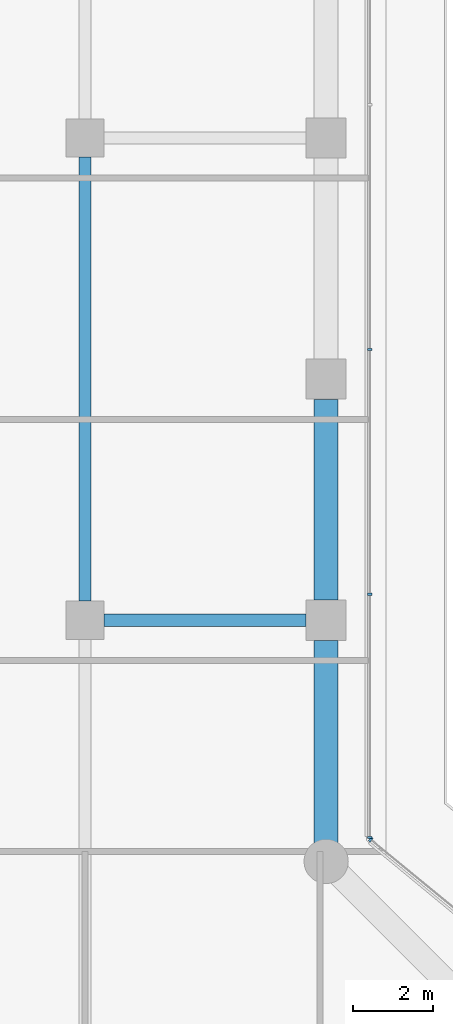
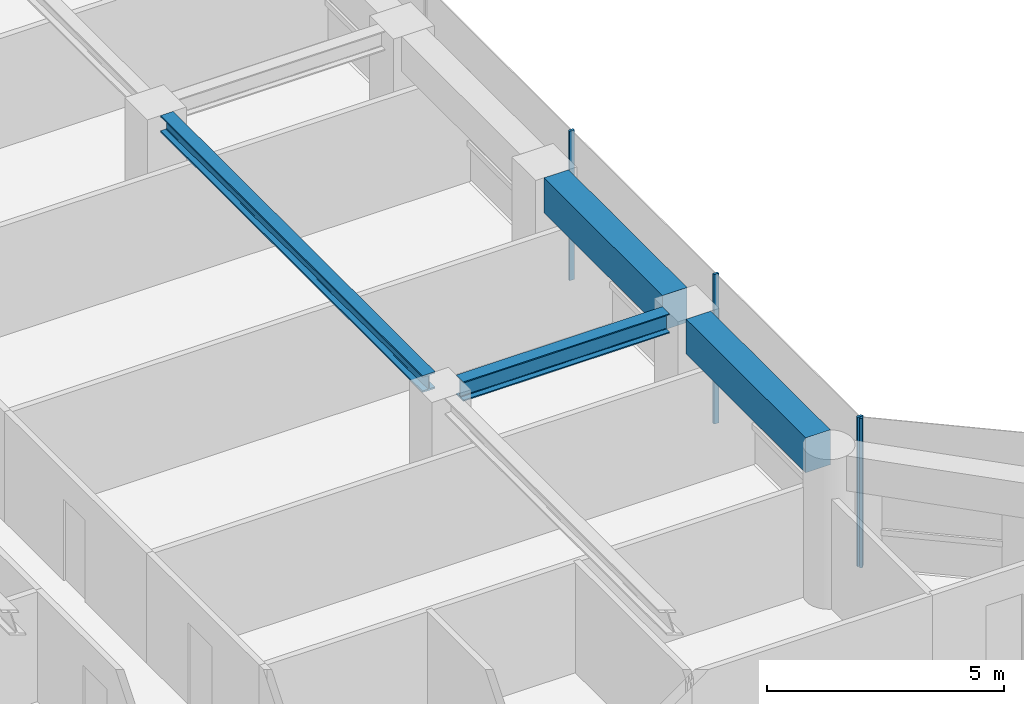
# One storey, part 11 of 28: 4 beams, 4 members, 2 elements without a shape of their own.
"""IFC4 building model written with IfcOpenShell, lengths in metres."""

from ifc_helpers import new_model, si_unit, direction, frame, origin, origin_2d, place, context, subcontext, project, spatial, rectangle, i_section, extrude, material, layer, layer_set, material_profile, profile_set, type_object, element, aggregate, save


model = new_model("IFC4")

# Units and contexts
model_context = context("Model", 3, precision=1e-05, world=origin(), true_north=direction((0.0, 1.0)))
body_context = subcontext(model_context, "Body", "Model", "MODEL_VIEW")
ifc_project = project(units=[si_unit("LENGTHUNIT", "METRE"), si_unit("AREAUNIT", "SQUARE_METRE"), si_unit("VOLUMEUNIT", "CUBIC_METRE"), si_unit("PLANEANGLEUNIT", "RADIAN"), si_unit("MASSUNIT", "GRAM", prefix="KILO")], contexts=[model_context])

# Site, building, storey
site_placement = place(None, origin())
site = spatial("IfcSite", under=ifc_project, at=site_placement, CompositionType="ELEMENT")
building_placement = place(site_placement, origin())
building = spatial("IfcBuilding", under=site, at=building_placement, Name="Welwitschia Terrace Campus", CompositionType="ELEMENT")
storey_placement = place(building_placement, frame((0.0, 0.0, 87.800048828125)))
storey = spatial("IfcBuildingStorey", under=building, at=storey_placement, Name="L19", CompositionType="ELEMENT", Elevation=87.800048828125)

# Beam
ifc_material_1 = material(Name="Steel S355", Category="steel")
ifc_material_profile_1 = material_profile(ifc_material_1, i_section(OverallWidth=0.306884765625, OverallDepth=0.431884765625, WebThickness=0.02099609375, FlangeThickness=0.0400390625, FilletRadius=0.027099609375, at=origin_2d()))
ifc_profile_set_1 = profile_set([ifc_material_profile_1], Name="Steel S355")
beam_type_1 = type_object("IfcBeamType", Name="Interior girder HE 400 M", PredefinedType="BEAM", material=ifc_profile_set_1)
beam_1_placement = place(storey_placement, frame((18.0, 40.4755859375, 3.634033203125), z_axis=(0.0, 1.0, 0.0), x_axis=(-1.0, 0.0, 0.0)))
element("IfcBeam", 1, at=beam_1_placement, inside=storey, type_object=beam_type_1, Name="Girder GB3", PredefinedType="BEAM", context=body_context, shape_type="SweptSolid", body=[
    extrude(i_section(OverallWidth=0.306884765625, OverallDepth=0.431884765625, WebThickness=0.02099609375, FlangeThickness=0.0400390625, FilletRadius=0.027099609375, at=origin_2d()), origin(), (0.0, 0.0, 1.0), 11.048828125),
])

# Curtain wall, member
ifc_material_2 = material(Name="Bronze anodised aluminium", Category="aluminium")
ifc_layer = layer(ifc_material_2, 0.1201171875)
ifc_layer_set = layer_set([ifc_layer], Name="Bronze anodised aluminium")
curtain_wall_type = type_object("IfcCurtainWallType", Name="Curtain wall CW2 tower 6000", PredefinedType="NOTDEFINED", material=ifc_layer_set)
curtain_wall_1_placement = place(storey_placement, origin())
curtain_wall_1 = element("IfcCurtainWall", 2, at=curtain_wall_1_placement, inside=storey, type_object=curtain_wall_type, Name="CW L19.10.0", PredefinedType="NOTDEFINED")
ifc_material_3 = material(Name="Bronze anodised aluminium", Category="aluminium")
ifc_material_profile_2 = material_profile(ifc_material_3, rectangle(XDim=0.1201171875, YDim=0.06005859375, at=origin_2d()))
ifc_profile_set_2 = profile_set([ifc_material_profile_2], Name="Bronze anodised aluminium")
member_type = type_object("IfcMemberType", Name="Mullion 60x120", PredefinedType="MULLION", material=ifc_profile_set_2)
member_1_placement = place(storey_placement, frame((25.109130859375, 34.546142578125, 0.0), z_axis=(0.0, 0.0, 1.0), x_axis=(-0.636078220278, -0.771624583388, 0.0)))
member_1 = element("IfcMember", 3, at=member_1_placement, type_object=member_type, Name="Mullion L19.10.0.1", PredefinedType="MULLION", context=body_context, shape_type="SweptSolid", body=[
    extrude(rectangle(XDim=0.1201171875, YDim=0.06005859375, at=origin_2d()), origin(), (0.0, 0.0, 1.0), 3.849853515625),
])
aggregate(curtain_wall_1, [member_1])

# Curtain wall, members
curtain_wall_2_placement = place(storey_placement, origin())
curtain_wall_2 = element("IfcCurtainWall", 4, at=curtain_wall_2_placement, inside=storey, type_object=curtain_wall_type, Name="CW L19.11.0", PredefinedType="NOTDEFINED")
member_2_placement = place(storey_placement, frame((25.0859375, 34.59521484375, 0.0), z_axis=(0.0, 0.0, 1.0), x_axis=(-1.0, 0.0, 0.0)))
member_2 = element("IfcMember", 5, at=member_2_placement, type_object=member_type, Name="Mullion L19.11.0.0", PredefinedType="MULLION", context=body_context, shape_type="SweptSolid", body=[
    extrude(rectangle(XDim=0.1201171875, YDim=0.06005859375, at=origin_2d()), origin(), (0.0, 0.0, 1.0), 3.849853515625),
])
member_3_placement = place(storey_placement, frame((25.0859375, 40.652099609375, 0.0), z_axis=(0.0, 0.0, 1.0), x_axis=(-1.0, 0.0, 0.0)))
member_3 = element("IfcMember", 6, at=member_3_placement, type_object=member_type, Name="Mullion L19.11.0.1", PredefinedType="MULLION", context=body_context, shape_type="SweptSolid", body=[
    extrude(rectangle(XDim=0.1201171875, YDim=0.06005859375, at=origin_2d()), origin(), (0.0, 0.0, 1.0), 3.849853515625),
])
member_4_placement = place(storey_placement, frame((25.0859375, 46.73876953125, 0.0), z_axis=(0.0, 0.0, 1.0), x_axis=(-1.0, 0.0, 0.0)))
member_4 = element("IfcMember", 7, at=member_4_placement, type_object=member_type, Name="Mullion L19.11.0.2", PredefinedType="MULLION", context=body_context, shape_type="SweptSolid", body=[
    extrude(rectangle(XDim=0.1201171875, YDim=0.06005859375, at=origin_2d()), origin(), (0.0, 0.0, 1.0), 3.849853515625),
])
aggregate(curtain_wall_2, [member_2, member_3, member_4])

# Beams
ifc_material_4 = material(Name="Steel S355", Category="steel")
ifc_material_profile_3 = material_profile(ifc_material_4, i_section(OverallWidth=0.300048828125, OverallDepth=0.5, WebThickness=0.014404296875, FlangeThickness=0.028076171875, FilletRadius=0.027099609375, at=origin_2d()))
ifc_profile_set_3 = profile_set([ifc_material_profile_3], Name="Steel S355")
beam_type_2 = type_object("IfcBeamType", Name="Primary beam HE 500 B", PredefinedType="BEAM", material=ifc_profile_set_3)
beam_2_placement = place(storey_placement, frame((23.49951171875, 40.0, 3.599853515625), z_axis=(-1.0, 0.0, 0.0), x_axis=(0.0, -1.0, 0.0)))
element("IfcBeam", 8, at=beam_2_placement, inside=storey, type_object=beam_type_2, Name="Primary beam PB3", PredefinedType="BEAM", context=body_context, shape_type="SweptSolid", body=[
    extrude(i_section(OverallWidth=0.300048828125, OverallDepth=0.5, WebThickness=0.014404296875, FlangeThickness=0.028076171875, FilletRadius=0.027099609375, at=origin_2d()), origin(), (0.0, 0.0, 1.0), 5.02392578125),
])
ifc_material_5 = material(Name="Concrete C60/75", Category="concrete")
ifc_material_profile_4 = material_profile(ifc_material_5, rectangle(XDim=0.60009765625, YDim=0.89990234375, at=origin_2d()))
ifc_profile_set_4 = profile_set([ifc_material_profile_4], Name="Concrete C60/75")
beam_type_3 = type_object("IfcBeamType", Name="Ring spandrel 600x900", PredefinedType="SPANDREL", material=ifc_profile_set_4)
beam_3_placement = place(storey_placement, frame((24.0, 34.46142578125, 3.39990234375), z_axis=(0.0, 1.0, 0.0), x_axis=(-1.0, 0.0, 0.0)))
element("IfcBeam", 9, at=beam_3_placement, inside=storey, type_object=beam_type_3, Name="Spandrel SP2", PredefinedType="SPANDREL", context=body_context, shape_type="SweptSolid", body=[
    extrude(rectangle(XDim=0.60009765625, YDim=0.89990234375, at=origin_2d()), origin(), (0.0, 0.0, 1.0), 5.0380859375),
])
beam_4_placement = place(storey_placement, frame((24.0, 40.50048828125, 3.39990234375), z_axis=(0.0, 1.0, 0.0), x_axis=(-1.0, 0.0, 0.0)))
element("IfcBeam", 10, at=beam_4_placement, inside=storey, type_object=beam_type_3, Name="Spandrel SP2", PredefinedType="SPANDREL", context=body_context, shape_type="SweptSolid", body=[
    extrude(rectangle(XDim=0.60009765625, YDim=0.89990234375, at=origin_2d()), origin(), (0.0, 0.0, 1.0), 4.9990234375),
])

save(model, "model.ifc")
